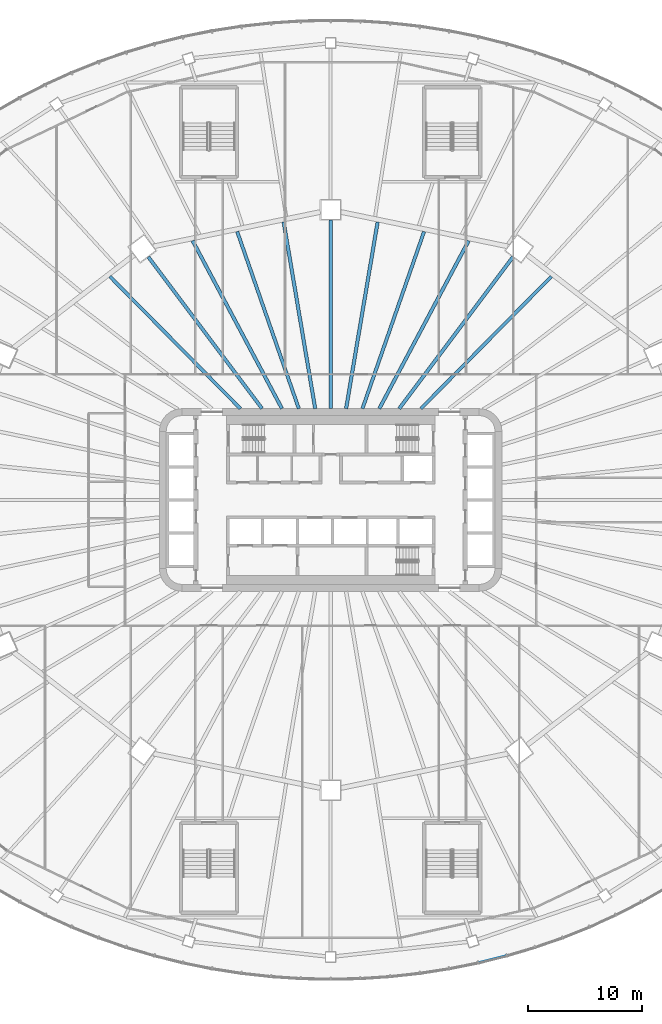
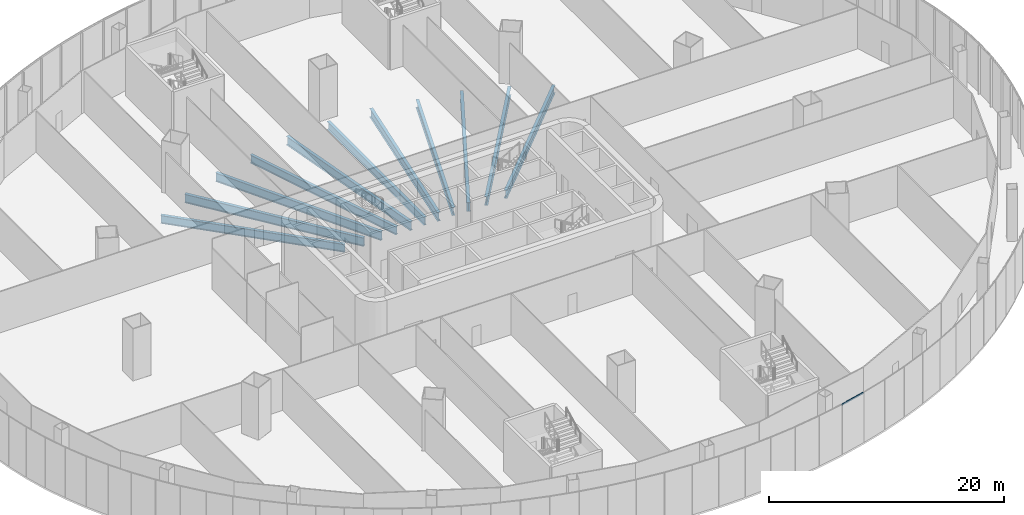
# One storey, part 8 of 42: 11 beams, 1 member, 1 element without a shape of its own.
"""IFC4 building model written with IfcOpenShell, lengths in metres."""

from ifc_helpers import new_model, si_unit, direction, frame, origin, origin_2d, place, context, subcontext, project, spatial, rectangle, i_section, extrude, material, layer, layer_set, material_profile, profile_set, type_object, element, aggregate, save


model = new_model("IFC4")

# Units and contexts
model_context = context("Model", 3, precision=1e-05, world=origin(), true_north=direction((0.0, 1.0)))
body_context = subcontext(model_context, "Body", "Model", "MODEL_VIEW")
ifc_project = project(units=[si_unit("LENGTHUNIT", "METRE"), si_unit("AREAUNIT", "SQUARE_METRE"), si_unit("VOLUMEUNIT", "CUBIC_METRE"), si_unit("PLANEANGLEUNIT", "RADIAN"), si_unit("MASSUNIT", "GRAM", prefix="KILO")], contexts=[model_context])

# Site, building, storey
site_placement = place(None, origin())
site = spatial("IfcSite", under=ifc_project, at=site_placement, CompositionType="ELEMENT")
building_placement = place(site_placement, origin())
building = spatial("IfcBuilding", under=site, at=building_placement, Name="Sahrelin Media Tower", CompositionType="ELEMENT")
storey_placement = place(building_placement, frame((0.0, 0.0, 26.0)))
storey = spatial("IfcBuildingStorey", under=building, at=storey_placement, Name="L03", CompositionType="ELEMENT", Elevation=26.0)

# Beams
ifc_material_1 = material(Name="Steel S355", Category="steel")
ifc_material_profile_1 = material_profile(ifc_material_1, i_section(OverallWidth=0.291748046875, OverallDepth=0.8349609375, WebThickness=0.013916015625, FlangeThickness=0.018798828125, FilletRadius=0.017822265625, at=origin_2d()), Name="UB 838x292x176")
ifc_profile_set_1 = profile_set([ifc_material_profile_1], Name="Steel S355")
beam_type_1 = type_object("IfcBeamType", Name="Radial primary beam PB10", PredefinedType="BEAM", material=ifc_profile_set_1)
beam_1_placement = place(storey_placement, frame((2.784912109375, 8.0, -0.617431640625), z_axis=(0.328776215552, 0.944407856854, 0.0), x_axis=(-0.944407856854, 0.328776215552, 0.0)))
element("IfcBeam", 1, at=beam_1_placement, inside=storey, type_object=beam_type_1, Name="Radial beam L03-06", PredefinedType="BEAM", context=body_context, shape_type="SweptSolid", body=[
    extrude(i_section(OverallWidth=0.291748046875, OverallDepth=0.8349609375, WebThickness=0.013916015625, FlangeThickness=0.018798828125, FilletRadius=0.017822265625, at=origin_2d()), origin(), (0.0, 0.0, 1.0), 16.41162109375),
])
beam_2_placement = place(storey_placement, frame((0.0, 8.0, -0.617431640625), z_axis=(0.0, 1.0, 0.0), x_axis=(-1.0, 0.0, 0.0)))
element("IfcBeam", 2, at=beam_2_placement, inside=storey, type_object=beam_type_1, Name="Radial beam L03-07", PredefinedType="BEAM", context=body_context, shape_type="SweptSolid", body=[
    extrude(i_section(OverallWidth=0.291748046875, OverallDepth=0.8349609375, WebThickness=0.013916015625, FlangeThickness=0.018798828125, FilletRadius=0.017822265625, at=origin_2d()), origin(), (0.0, 0.0, 1.0), 16.5),
])
beam_3_placement = place(storey_placement, frame((-2.784912109375, 8.0, -0.617431640625), z_axis=(-0.328776215552, 0.944407856854, 0.0), x_axis=(-0.944407856854, -0.328776215552, 0.0)))
element("IfcBeam", 3, at=beam_3_placement, inside=storey, type_object=beam_type_1, Name="Radial beam L03-08", PredefinedType="BEAM", context=body_context, shape_type="SweptSolid", body=[
    extrude(i_section(OverallWidth=0.291748046875, OverallDepth=0.8349609375, WebThickness=0.013916015625, FlangeThickness=0.018798828125, FilletRadius=0.017822265625, at=origin_2d()), origin(), (0.0, 0.0, 1.0), 16.41162109375),
])
ifc_material_profile_2 = material_profile(ifc_material_1, i_section(OverallWidth=0.30322265625, OverallDepth=0.903076171875, WebThickness=0.01513671875, FlangeThickness=0.020263671875, FilletRadius=0.01904296875, at=origin_2d()), Name="UB 914x305x201")
ifc_profile_set_2 = profile_set([ifc_material_profile_2], Name="Steel S355")
beam_type_2 = type_object("IfcBeamType", Name="Radial primary beam PB11", PredefinedType="BEAM", material=ifc_profile_set_2)
for number, where, z_axis, x_axis, name in (
    (4, (6.000732421875, 8.0, -0.651611328125), (0.600054130443, 0.799959399306, 0.0), (-0.799959399306, 0.600054130443, 0.0), "Radial beam L03-05"),
    (5, (-6.000732421875, 8.0, -0.651611328125), (-0.600054130443, 0.799959399306, 0.0), (-0.799959399306, -0.600054130443, 0.0), "Radial beam L03-09"),
):
    element("IfcBeam", number, at=place(storey_placement, frame(where, z_axis=z_axis, x_axis=x_axis)), inside=storey, type_object=beam_type_2, Name=name, PredefinedType="BEAM", context=body_context, shape_type="SweptSolid", body=[
        extrude(i_section(OverallWidth=0.30322265625, OverallDepth=0.903076171875, WebThickness=0.01513671875, FlangeThickness=0.020263671875, FilletRadius=0.01904296875, at=origin_2d()), origin(), (0.0, 0.0, 1.0), 16.59716796875),
    ])
ifc_material_profile_3 = material_profile(ifc_material_1, i_section(OverallWidth=0.291748046875, OverallDepth=0.8349609375, WebThickness=0.013916015625, FlangeThickness=0.018798828125, FilletRadius=0.017822265625, at=origin_2d()), Name="UB 838x292x176")
ifc_profile_set_3 = profile_set([ifc_material_profile_3], Name="Steel S355")
beam_type_3 = type_object("IfcBeamType", Name="Radial secondary beam SB10", PredefinedType="BEAM", material=ifc_profile_set_3)
for number, where, z_axis, x_axis, name in (
    (6, (7.901123046875, 8.0, -0.617431640625), (0.702706329063, 0.711480017355, 0.0), (-0.711480017355, 0.702706329063, 0.0), "Secondary beam L03-04"),
    (7, (-7.901123046875, 8.0, -0.617431640625), (-0.702706329063, 0.711480017355, 0.0), (-0.711480017355, -0.702706329063, 0.0), "Secondary beam L03-09"),
):
    element("IfcBeam", number, at=place(storey_placement, frame(where, z_axis=z_axis, x_axis=x_axis)), inside=storey, type_object=beam_type_3, Name=name, PredefinedType="BEAM", context=body_context, shape_type="SweptSolid", body=[
        extrude(i_section(OverallWidth=0.291748046875, OverallDepth=0.8349609375, WebThickness=0.013916015625, FlangeThickness=0.018798828125, FilletRadius=0.017822265625, at=origin_2d()), origin(), (0.0, 0.0, 1.0), 16.250732421875),
    ])
ifc_material_profile_4 = material_profile(ifc_material_1, i_section(OverallWidth=0.30322265625, OverallDepth=0.903076171875, WebThickness=0.01513671875, FlangeThickness=0.020263671875, FilletRadius=0.01904296875, at=origin_2d()), Name="UB 914x305x201")
ifc_profile_set_4 = profile_set([ifc_material_profile_4], Name="Steel S355")
beam_type_4 = type_object("IfcBeamType", Name="Radial secondary beam SB11", PredefinedType="BEAM", material=ifc_profile_set_4)
beam_4_placement = place(storey_placement, frame((4.259765625, 8.0, -0.651611328125), z_axis=(0.469997453325, 0.882667770947, 0.0), x_axis=(-0.882667770947, 0.469997453325, 0.0)))
element("IfcBeam", 8, at=beam_4_placement, inside=storey, type_object=beam_type_4, Name="Secondary beam L03-05", PredefinedType="BEAM", context=body_context, shape_type="SweptSolid", body=[
    extrude(i_section(OverallWidth=0.30322265625, OverallDepth=0.903076171875, WebThickness=0.01513671875, FlangeThickness=0.020263671875, FilletRadius=0.01904296875, at=origin_2d()), origin(), (0.0, 0.0, 1.0), 16.6474609375),
])
for number, where, z_axis, x_axis, name in (
    (9, (1.352783203125, 8.0, -0.651611328125), (0.166704262426, 0.986006941603, 0.0), (-0.986006941603, 0.166704262426, 0.0), "Secondary beam L03-06"),
    (10, (-1.352783203125, 8.0, -0.651611328125), (-0.166704262426, 0.986006941603, 0.0), (-0.986006941603, -0.166704262426, 0.0), "Secondary beam L03-07"),
):
    element("IfcBeam", number, at=place(storey_placement, frame(where, z_axis=z_axis, x_axis=x_axis)), inside=storey, type_object=beam_type_4, Name=name, PredefinedType="BEAM", context=body_context, shape_type="SweptSolid", body=[
        extrude(i_section(OverallWidth=0.30322265625, OverallDepth=0.903076171875, WebThickness=0.01513671875, FlangeThickness=0.020263671875, FilletRadius=0.01904296875, at=origin_2d()), origin(), (0.0, 0.0, 1.0), 16.569580078125),
    ])
beam_5_placement = place(storey_placement, frame((-4.259765625, 8.0, -0.651611328125), z_axis=(-0.469997453325, 0.882667770947, 0.0), x_axis=(-0.882667770947, -0.469997453325, 0.0)))
element("IfcBeam", 11, at=beam_5_placement, inside=storey, type_object=beam_type_4, Name="Secondary beam L03-08", PredefinedType="BEAM", context=body_context, shape_type="SweptSolid", body=[
    extrude(i_section(OverallWidth=0.30322265625, OverallDepth=0.903076171875, WebThickness=0.01513671875, FlangeThickness=0.020263671875, FilletRadius=0.01904296875, at=origin_2d()), origin(), (0.0, 0.0, 1.0), 16.6474609375),
])

# Curtain wall, member
ifc_material_2 = material(Name="Champagne anodised aluminium 6063-T6", Category="aluminium")
ifc_layer = layer(ifc_material_2, 0.14990234375)
ifc_layer_set = layer_set([ifc_layer], Name="Podium ribbon curtain wall")
curtain_wall_type = type_object("IfcCurtainWallType", Name="Podium ribbon curtain wall", PredefinedType="NOTDEFINED", material=ifc_layer_set)
curtain_wall_placement = place(storey_placement, frame((12.94091796875, -40.56884765625, 0.0), z_axis=(0.0, 0.0, 1.0), x_axis=(1.0, 0.0, 0.0)))
curtain_wall = element("IfcCurtainWall", 12, at=curtain_wall_placement, inside=storey, type_object=curtain_wall_type, Name="L03:CW:L03-P19", PredefinedType="NOTDEFINED")
ifc_material_profile_5 = material_profile(ifc_material_2, rectangle(XDim=0.06005859375, YDim=0.14990234375, at=origin_2d()), Name="Transom 60x150")
ifc_profile_set_5 = profile_set([ifc_material_profile_5], Name="Champagne anodised aluminium 6063-T6")
member_type = type_object("IfcMemberType", Name="Transom 60x150 CW5", PredefinedType="USERDEFINED", material=ifc_profile_set_5)
member_placement = place(storey_placement, frame((12.977294921875, -40.50830078125, 5.125), z_axis=(0.970424936956, 0.241403069023, 0.0), x_axis=(-0.241403069023, 0.970424936956, 0.0)))
member = element("IfcMember", 13, at=member_placement, type_object=member_type, Name="L03:CWT1a:L03-P19", ObjectType="TRANSOM", PredefinedType="USERDEFINED", context=body_context, shape_type="SweptSolid", body=[
    extrude(rectangle(XDim=0.06005859375, YDim=0.14990234375, at=origin_2d()), origin(), (0.0, 0.0, 1.0), 2.536376953125),
])
aggregate(curtain_wall, [member])

save(model, "model.ifc")
